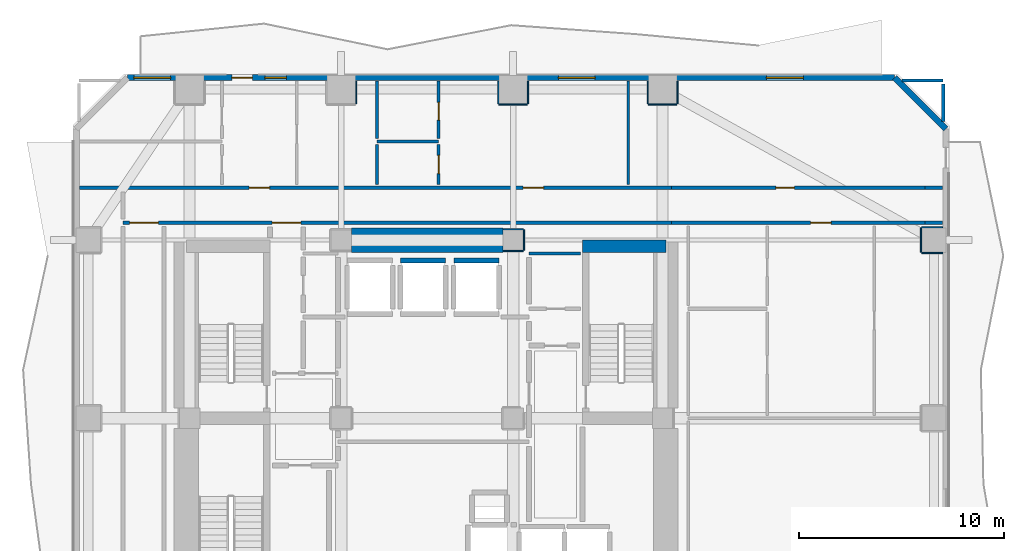
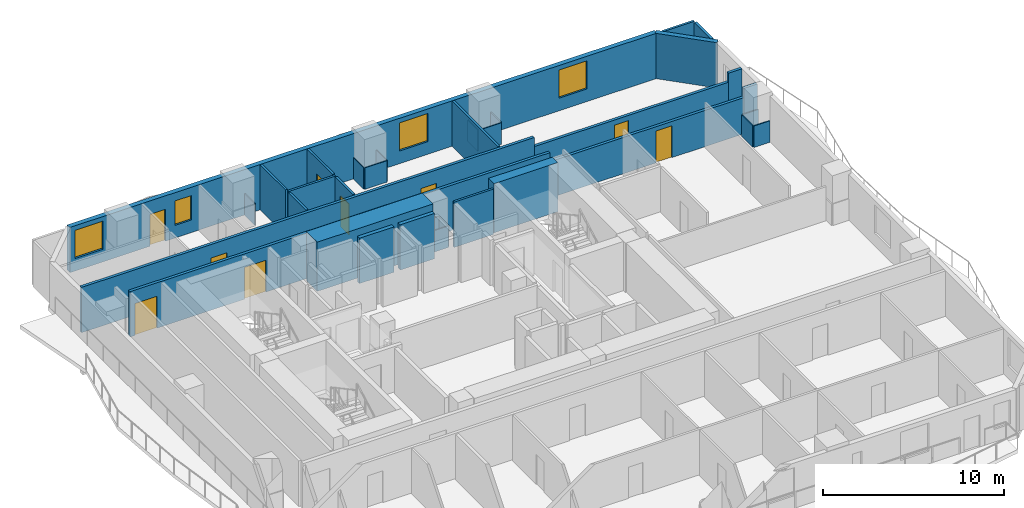
# One storey, part 6 of 10: 34 walls, 9 doors, 4 windows, 13 openings.
"""IFC4 building model written with IfcOpenShell, lengths in metres."""

from ifc_helpers import new_model, si_unit, direction, frame, frame_2d, origin, place, context, subcontext, project, spatial, rectangle, extrude, material, layer, layer_set, type_object, element, fill, save


model = new_model("IFC4")

# Units and contexts
model_context = context("Model", 3, precision=1e-05, world=origin(), true_north=direction((0.0, 1.0)))
body_context = subcontext(model_context, "Body", "Model", "MODEL_VIEW")
ifc_project = project(units=[si_unit("LENGTHUNIT", "METRE"), si_unit("AREAUNIT", "SQUARE_METRE"), si_unit("VOLUMEUNIT", "CUBIC_METRE"), si_unit("PLANEANGLEUNIT", "RADIAN"), si_unit("MASSUNIT", "GRAM", prefix="KILO")], contexts=[model_context])

# Site, building, storey
site_placement = place(None, origin())
site = spatial("IfcSite", under=ifc_project, at=site_placement, CompositionType="ELEMENT")
building_placement = place(site_placement, origin())
building = spatial("IfcBuilding", under=site, at=building_placement, Name="Solanera Arch Residences", CompositionType="ELEMENT")
storey_placement = place(building_placement, frame((0.0, 0.0, 48.56005859375)))
storey = spatial("IfcBuildingStorey", under=building, at=storey_placement, Name="L13", CompositionType="ELEMENT", Elevation=48.56005859375)

# Walls
ifc_material_1 = material(Name="Fire-Rated Gypsum Stud Partition", Category="gypsum")
ifc_layer_1 = layer(ifc_material_1, 0.06005859375)
ifc_layer_set_1 = layer_set([ifc_layer_1], Name="Fire-Rated Gypsum Stud Partition")
wall_type_1 = type_object("IfcWallType", Name="Column Acoustic Furring Wall 60", PredefinedType="PARTITIONING", material=ifc_layer_set_1)
for number, where, z_axis, x_axis, name in (
    (1, (28.7099609375, 38.867919921875, 0.0), (0.0, 0.0, 1.0), (1.0, 0.0, 0.0), "L13 Column Furring 4S"),
    (2, (28.7099609375, 39.931884765625, 0.0), (0.0, 0.0, 1.0), (1.0, 0.0, 0.0), "L13 Column Furring 4N"),
):
    element("IfcWall", number, at=place(storey_placement, frame(where, z_axis=z_axis, x_axis=x_axis)), inside=storey, type_object=wall_type_1, Name=name, PredefinedType="PARTITIONING", context=body_context, shape_type="SweptSolid", body=[
        extrude(rectangle(XDim=0.989990234375, YDim=0.06005859375, at=frame_2d((0.4951171875, 0.0))), origin(), (0.0, 0.0, 1.0), 1.449951171875),
    ])
wall_1_placement = place(storey_placement, frame((29.73193359375, 38.89990234375, 0.0), z_axis=(0.0, 0.0, 1.0), x_axis=(0.0, 1.0, 0.0)))
element("IfcWall", 3, at=wall_1_placement, inside=storey, type_object=wall_type_1, Name="L13 Column Furring 4E", PredefinedType="PARTITIONING", context=body_context, shape_type="SweptSolid", body=[
    extrude(rectangle(XDim=1.0, YDim=0.06005859375, at=frame_2d((0.5, 0.0))), origin(), (0.0, 0.0, 1.0), 1.449951171875),
])
wall_2_placement = place(storey_placement, frame((21.531982421875, 46.050048828125, 0.0), z_axis=(0.0, 0.0, 1.0), x_axis=(0.0, 1.0, 0.0)))
element("IfcWall", 4, at=wall_2_placement, inside=storey, type_object=wall_type_1, Name="L13 Column Furring 12E", PredefinedType="PARTITIONING", context=body_context, shape_type="SweptSolid", body=[
    extrude(rectangle(XDim=1.119873046875, YDim=0.06005859375, at=frame_2d((0.56005859375, 0.0))), origin(), (0.0, 0.0, 1.0), 1.449951171875),
])
wall_3_placement = place(storey_placement, frame((28.5, 46.01806640625, 0.0), z_axis=(0.0, 0.0, 1.0), x_axis=(1.0, 0.0, 0.0)))
element("IfcWall", 5, at=wall_3_placement, inside=storey, type_object=wall_type_1, Name="L13 Column Furring 14S", PredefinedType="PARTITIONING", context=body_context, shape_type="SweptSolid", body=[
    extrude(rectangle(XDim=1.39990234375, YDim=0.06005859375, at=frame_2d((0.699951171875, 0.0))), origin(), (0.0, 0.0, 1.0), 1.449951171875),
])
for number, where, z_axis, x_axis, name in (
    (6, (28.468017578125, 46.050048828125, 0.0), (0.0, 0.0, 1.0), (0.0, 1.0, 0.0), "L13 Column Furring 14W"),
    (7, (29.931884765625, 46.050048828125, 0.0), (0.0, 0.0, 1.0), (0.0, 1.0, 0.0), "L13 Column Furring 14E"),
):
    element("IfcWall", number, at=place(storey_placement, frame(where, z_axis=z_axis, x_axis=x_axis)), inside=storey, type_object=wall_type_1, Name=name, PredefinedType="PARTITIONING", context=body_context, shape_type="SweptSolid", body=[
        extrude(rectangle(XDim=1.119873046875, YDim=0.06005859375, at=frame_2d((0.56005859375, 0.0))), origin(), (0.0, 0.0, 1.0), 1.449951171875),
    ])
wall_4_placement = place(storey_placement, frame((35.800048828125, 46.01806640625, 0.0), z_axis=(0.0, 0.0, 1.0), x_axis=(1.0, 0.0, 0.0)))
element("IfcWall", 8, at=wall_4_placement, inside=storey, type_object=wall_type_1, Name="L13 Column Furring 16S", PredefinedType="PARTITIONING", context=body_context, shape_type="SweptSolid", body=[
    extrude(rectangle(XDim=1.39990234375, YDim=0.06005859375, at=frame_2d((0.699951171875, 0.0))), origin(), (0.0, 0.0, 1.0), 1.449951171875),
])
for number, where, z_axis, x_axis, name in (
    (9, (35.76806640625, 46.050048828125, 0.0), (0.0, 0.0, 1.0), (0.0, 1.0, 0.0), "L13 Column Furring 16W"),
    (10, (37.23193359375, 46.050048828125, 0.0), (0.0, 0.0, 1.0), (0.0, 1.0, 0.0), "L13 Column Furring 16E"),
):
    element("IfcWall", number, at=place(storey_placement, frame(where, z_axis=z_axis, x_axis=x_axis)), inside=storey, type_object=wall_type_1, Name=name, PredefinedType="PARTITIONING", context=body_context, shape_type="SweptSolid", body=[
        extrude(rectangle(XDim=1.119873046875, YDim=0.06005859375, at=frame_2d((0.56005859375, 0.0))), origin(), (0.0, 0.0, 1.0), 1.449951171875),
    ])
for number, where, z_axis, x_axis, name in (
    (11, (49.14990234375, 38.76806640625, 0.0), (0.0, 0.0, 1.0), (1.0, 0.0, 0.0), "L13 Column Furring 22S"),
    (12, (49.14990234375, 40.031982421875, 0.0), (0.0, 0.0, 1.0), (1.0, 0.0, 0.0), "L13 Column Furring 22N"),
):
    element("IfcWall", number, at=place(storey_placement, frame(where, z_axis=z_axis, x_axis=x_axis)), inside=storey, type_object=wall_type_1, Name=name, PredefinedType="PARTITIONING", context=body_context, shape_type="SweptSolid", body=[
        extrude(rectangle(XDim=1.02001953125, YDim=0.06005859375, at=frame_2d((0.510009765625, 0.0))), origin(), (0.0, 0.0, 1.0), 1.449951171875),
    ])
wall_5_placement = place(storey_placement, frame((49.117919921875, 38.800048828125, 0.0), z_axis=(0.0, 0.0, 1.0), x_axis=(0.0, 1.0, 0.0)))
element("IfcWall", 13, at=wall_5_placement, inside=storey, type_object=wall_type_1, Name="L13 Column Furring 22W", PredefinedType="PARTITIONING", context=body_context, shape_type="SweptSolid", body=[
    extrude(rectangle(XDim=1.199951171875, YDim=0.06005859375, at=frame_2d((0.60009765625, 0.0))), origin(), (0.0, 0.0, 1.0), 1.449951171875),
])
ifc_material_2 = material(Name="Concrete C55/67 (f'c = 60 MPa)", Category="concrete")
ifc_layer_2 = layer(ifc_material_2, 1.199951171875)
ifc_layer_set_2 = layer_set([ifc_layer_2], Name="Concrete C55/67 (f'c = 60 MPa)")
wall_type_2 = type_object("IfcWallType", Name="Core Shear Wall CW-1200", PredefinedType="SHEAR", material=ifc_layer_set_2)
wall_6_placement = place(storey_placement, frame((21.304931640625, 39.39990234375, 0.0), z_axis=(0.0, 0.0, 1.0), x_axis=(1.0, 0.0, 0.0)))
element("IfcWall", 14, at=wall_6_placement, inside=storey, type_object=wall_type_2, Name="L13 Central North Core Shear Wall", PredefinedType="SHEAR", context=body_context, shape_type="SweptSolid", body=[
    extrude(rectangle(XDim=7.39013671875, YDim=1.199951171875, at=frame_2d((3.695068359375, 0.0))), origin(), (0.0, 0.0, 1.0), 3.31982421875),
])
ifc_material_3 = material(Name="Concrete C40/50 (f'c = 45 MPa)", Category="concrete")
ifc_layer_3 = layer(ifc_material_3, 0.60009765625)
ifc_layer_set_3 = layer_set([ifc_layer_3], Name="Concrete C40/50 (f'c = 45 MPa)")
wall_type_3 = type_object("IfcWallType", Name="Core Shear Wall CW-600", PredefinedType="SHEAR", material=ifc_layer_set_3)
wall_7_placement = place(storey_placement, frame((32.580078125, 39.10009765625, 0.0), z_axis=(0.0, 0.0, 1.0), x_axis=(1.0, 0.0, 0.0)))
element("IfcWall", 15, at=wall_7_placement, inside=storey, type_object=wall_type_3, Name="L13 North-East Core Shear Wall", PredefinedType="SHEAR", context=body_context, shape_type="SweptSolid", body=[
    extrude(rectangle(XDim=4.079833984375, YDim=0.60009765625, at=frame_2d((2.0400390625, 0.0))), origin(), (0.0, 0.0, 1.0), 3.31982421875),
])

# Wall, openings, doors
ifc_material_4 = material(Name="Autoclaved Aerated Concrete Blockwork", Category="masonry")
ifc_layer_4 = layer(ifc_material_4, 0.179931640625)
ifc_layer_set_4 = layer_set([ifc_layer_4], Name="Autoclaved Aerated Concrete Blockwork")
wall_type_4 = type_object("IfcWallType", Name="Corridor Fire Partition 180", PredefinedType="PARTITIONING", material=ifc_layer_set_4)
wall_8_placement = place(storey_placement, frame((10.14990234375, 40.25, 0.0), z_axis=(0.0, 0.0, 1.0), x_axis=(1.0, 0.0, 0.0)))
wall_8 = element("IfcWall", 16, at=wall_8_placement, inside=storey, type_object=wall_type_4, Name="L13 Interior Partition H11 1", PredefinedType="PARTITIONING", context=body_context, shape_type="SweptSolid", body=[
    extrude(rectangle(XDim=26.781982421875, YDim=0.179931640625, at=frame_2d((13.39111328125, 0.0))), origin(), (0.0, 0.0, 1.0), 3.06005859375),
])
opening_1_placement = place(wall_8_placement, frame((7.284912109375, 0.0, 0.0)))
opening_1 = element("IfcOpeningElement", 17, at=opening_1_placement, cuts=wall_8, Name="Opening DF-03", PredefinedType="OPENING", context=body_context, shape_type="SweptSolid", body=[
    extrude(rectangle(XDim=1.39990234375, YDim=2.14990234375, at=frame_2d((0.699951171875, 1.074951171875))), frame((0.0, 0.10009765625, 0.0), z_axis=(0.0, -1.0, 0.0), x_axis=(1.0, 0.0, 0.0)), (0.0, 0.0, 1.0), 0.1999),
])
opening_2_placement = place(wall_8_placement, frame((0.323974609375, 0.0, 0.0)))
opening_2 = element("IfcOpeningElement", 18, at=opening_2_placement, cuts=wall_8, Name="Opening DF-03", PredefinedType="OPENING", context=body_context, shape_type="SweptSolid", body=[
    extrude(rectangle(XDim=1.39990234375, YDim=2.14990234375, at=frame_2d((0.699951171875, 1.074951171875))), frame((0.0, 0.10009765625, 0.0), z_axis=(0.0, -1.0, 0.0), x_axis=(1.0, 0.0, 0.0)), (0.0, 0.0, 1.0), 0.1999),
])
ifc_material_5 = material(Name="Fire-Rated Architectural Hardwood", Category="wood")
door_type_1 = type_object("IfcDoorType", Name="Corridor Smoke Door DF-03", OperationType="NOTDEFINED", PredefinedType="DOOR", material=ifc_material_5)
door_1_placement = place(opening_1_placement, origin())
door_1 = element("IfcDoor", 19, at=door_1_placement, inside=storey, type_object=door_type_1, Name="DR-L13-IN-009", OperationType="SINGLE_SWING_LEFT", OverallHeight=2.14990234375, OverallWidth=1.39990234375, PredefinedType="DOOR", context=body_context, shape_type="SweptSolid", body=[
    extrude(rectangle(XDim=1.39990234375, YDim=2.14990234375, at=frame_2d((0.699951171875, 1.074951171875))), frame((0.0, 0.02490234375, 0.0), z_axis=(0.0, -1.0, 0.0), x_axis=(1.0, 0.0, 0.0)), (0.0, 0.0, 1.0), 0.050048828125),
])
fill(opening_1, door_1)
door_2_placement = place(opening_2_placement, origin())
door_2 = element("IfcDoor", 20, at=door_2_placement, inside=storey, type_object=door_type_1, Name="DR-L13-IN-011", OperationType="SINGLE_SWING_LEFT", OverallHeight=2.14990234375, OverallWidth=1.39990234375, PredefinedType="DOOR", context=body_context, shape_type="SweptSolid", body=[
    extrude(rectangle(XDim=1.39990234375, YDim=2.14990234375, at=frame_2d((0.699951171875, 1.074951171875))), frame((0.0, 0.02490234375, 0.0), z_axis=(0.0, -1.0, 0.0), x_axis=(1.0, 0.0, 0.0)), (0.0, 0.0, 1.0), 0.050048828125),
])
fill(opening_2, door_2)

# Wall, opening, door
wall_9_placement = place(storey_placement, frame((36.931884765625, 40.25, 0.0), z_axis=(0.0, 0.0, 1.0), x_axis=(1.0, 0.0, 0.0)))
wall_9 = element("IfcWall", 21, at=wall_9_placement, inside=storey, type_object=wall_type_4, Name="L13 Interior Partition H11 2", PredefinedType="PARTITIONING", context=body_context, shape_type="SweptSolid", body=[
    extrude(rectangle(XDim=12.38623046875, YDim=0.179931640625, at=frame_2d((6.193115234375, 0.0))), origin(), (0.0, 0.0, 1.0), 2.44482421875),
])
opening_3_placement = place(wall_9_placement, frame((6.7919921875, 0.0, 0.0)))
opening_3 = element("IfcOpeningElement", 22, at=opening_3_placement, cuts=wall_9, Name="Opening DI-01", PredefinedType="OPENING", context=body_context, shape_type="SweptSolid", body=[
    extrude(rectangle(XDim=1.0, YDim=2.14990234375, at=frame_2d((0.5, 1.074951171875))), frame((0.0, 0.10009765625, 0.0), z_axis=(0.0, -1.0, 0.0), x_axis=(1.0, 0.0, 0.0)), (0.0, 0.0, 1.0), 0.1999),
])
ifc_material_6 = material(Name="Fire-Rated Architectural Hardwood", Category="wood")
door_type_2 = type_object("IfcDoorType", Name="Unit Entrance Fire Door DI-01", OperationType="NOTDEFINED", PredefinedType="DOOR", material=ifc_material_6)
door_3_placement = place(opening_3_placement, origin())
door_3 = element("IfcDoor", 23, at=door_3_placement, inside=storey, type_object=door_type_2, Name="DR-L13-IN-040", OperationType="SINGLE_SWING_RIGHT", OverallHeight=2.14990234375, OverallWidth=1.0, PredefinedType="DOOR", context=body_context, shape_type="SweptSolid", body=[
    extrude(rectangle(XDim=1.0, YDim=2.14990234375, at=frame_2d((0.5, 1.074951171875))), frame((0.0, 0.02490234375, 0.0), z_axis=(0.0, -1.0, 0.0), x_axis=(1.0, 0.0, 0.0)), (0.0, 0.0, 1.0), 0.050048828125),
])
fill(opening_3, door_3)

# Wall
wall_10_placement = place(storey_placement, frame((49.318115234375, 40.25, 0.0), z_axis=(0.0, 0.0, 1.0), x_axis=(1.0, 0.0, 0.0)))
element("IfcWall", 24, at=wall_10_placement, inside=storey, type_object=wall_type_4, Name="L13 Interior Partition H11 3", PredefinedType="PARTITIONING", context=body_context, shape_type="SweptSolid", body=[
    extrude(rectangle(XDim=0.85498046875, YDim=0.179931640625, at=frame_2d((0.427490234375, 0.0))), origin(), (0.0, 0.0, 1.0), 3.06005859375),
])

# Wall, openings, doors
wall_11_placement = place(storey_placement, frame((8.027099609375, 41.949951171875, 0.0), z_axis=(0.0, 0.0, 1.0), x_axis=(1.0, 0.0, 0.0)))
wall_11 = element("IfcWall", 25, at=wall_11_placement, inside=storey, type_object=wall_type_4, Name="L13 Interior Partition H12 1", PredefinedType="PARTITIONING", context=body_context, shape_type="SweptSolid", body=[
    extrude(rectangle(XDim=28.90478515625, YDim=0.179931640625, at=frame_2d((14.452392578125, 0.0))), origin(), (0.0, 0.0, 1.0), 3.06005859375),
])
opening_4_placement = place(wall_11_placement, frame((8.278076171875, 0.0, 0.0)))
opening_4 = element("IfcOpeningElement", 26, at=opening_4_placement, cuts=wall_11, Name="Opening DI-01", PredefinedType="OPENING", context=body_context, shape_type="SweptSolid", body=[
    extrude(rectangle(XDim=1.0, YDim=2.14990234375, at=frame_2d((0.5, 1.074951171875))), frame((0.0, 0.10009765625, 0.0), z_axis=(0.0, -1.0, 0.0), x_axis=(1.0, 0.0, 0.0)), (0.0, 0.0, 1.0), 0.1999),
])
opening_5_placement = place(wall_11_placement, frame((21.6630859375, 0.0, 0.0)))
opening_5 = element("IfcOpeningElement", 27, at=opening_5_placement, cuts=wall_11, Name="Opening DI-01", PredefinedType="OPENING", context=body_context, shape_type="SweptSolid", body=[
    extrude(rectangle(XDim=1.0, YDim=2.14990234375, at=frame_2d((0.5, 1.074951171875))), frame((0.0, 0.10009765625, 0.0), z_axis=(0.0, -1.0, 0.0), x_axis=(1.0, 0.0, 0.0)), (0.0, 0.0, 1.0), 0.1999),
])
door_4_placement = place(opening_4_placement, origin())
door_4 = element("IfcDoor", 28, at=door_4_placement, inside=storey, type_object=door_type_2, Name="DR-L13-IN-031", OperationType="SINGLE_SWING_LEFT", OverallHeight=2.14990234375, OverallWidth=1.0, PredefinedType="DOOR", context=body_context, shape_type="SweptSolid", body=[
    extrude(rectangle(XDim=1.0, YDim=2.14990234375, at=frame_2d((0.5, 1.074951171875))), frame((0.0, 0.02490234375, 0.0), z_axis=(0.0, -1.0, 0.0), x_axis=(1.0, 0.0, 0.0)), (0.0, 0.0, 1.0), 0.050048828125),
])
fill(opening_4, door_4)
door_5_placement = place(opening_5_placement, origin())
door_5 = element("IfcDoor", 29, at=door_5_placement, inside=storey, type_object=door_type_2, Name="DR-L13-IN-035", OperationType="SINGLE_SWING_LEFT", OverallHeight=2.14990234375, OverallWidth=1.0, PredefinedType="DOOR", context=body_context, shape_type="SweptSolid", body=[
    extrude(rectangle(XDim=1.0, YDim=2.14990234375, at=frame_2d((0.5, 1.074951171875))), frame((0.0, 0.02490234375, 0.0), z_axis=(0.0, -1.0, 0.0), x_axis=(1.0, 0.0, 0.0)), (0.0, 0.0, 1.0), 0.050048828125),
])
fill(opening_5, door_5)

# Wall, opening, door
wall_12_placement = place(storey_placement, frame((36.931884765625, 41.949951171875, 0.0), z_axis=(0.0, 0.0, 1.0), x_axis=(1.0, 0.0, 0.0)))
wall_12 = element("IfcWall", 30, at=wall_12_placement, inside=storey, type_object=wall_type_4, Name="L13 Interior Partition H12 2", PredefinedType="PARTITIONING", context=body_context, shape_type="SweptSolid", body=[
    extrude(rectangle(XDim=12.38623046875, YDim=0.179931640625, at=frame_2d((6.193115234375, 0.0))), origin(), (0.0, 0.0, 1.0), 2.44482421875),
])
opening_6_placement = place(wall_12_placement, frame((5.10400390625, 0.0, 0.0)))
opening_6 = element("IfcOpeningElement", 31, at=opening_6_placement, cuts=wall_12, Name="Opening DI-02", PredefinedType="OPENING", context=body_context, shape_type="SweptSolid", body=[
    extrude(rectangle(XDim=0.89990234375, YDim=2.10009765625, at=frame_2d((0.449951171875, 1.050048828125))), frame((0.0, 0.10009765625, 0.0), z_axis=(0.0, -1.0, 0.0), x_axis=(1.0, 0.0, 0.0)), (0.0, 0.0, 1.0), 0.1999),
])
ifc_material_7 = material(Name="Fire-Rated Architectural Hardwood", Category="wood")
door_type_3 = type_object("IfcDoorType", Name="Suite Room Swing Door DI-02", OperationType="NOTDEFINED", PredefinedType="DOOR", material=ifc_material_7)
door_6_placement = place(opening_6_placement, origin())
door_6 = element("IfcDoor", 32, at=door_6_placement, inside=storey, type_object=door_type_3, Name="DR-L13-IN-038", OperationType="SINGLE_SWING_RIGHT", OverallHeight=2.10009765625, OverallWidth=0.89990234375, PredefinedType="DOOR", context=body_context, shape_type="SweptSolid", body=[
    extrude(rectangle(XDim=0.89990234375, YDim=2.10009765625, at=frame_2d((0.449951171875, 1.050048828125))), frame((0.0, 0.02490234375, 0.0), z_axis=(0.0, -1.0, 0.0), x_axis=(1.0, 0.0, 0.0)), (0.0, 0.0, 1.0), 0.050048828125),
])
fill(opening_6, door_6)

# Walls
wall_13_placement = place(storey_placement, frame((49.318115234375, 41.949951171875, 0.0), z_axis=(0.0, 0.0, 1.0), x_axis=(1.0, 0.0, 0.0)))
element("IfcWall", 33, at=wall_13_placement, inside=storey, type_object=wall_type_4, Name="L13 Interior Partition H12 3", PredefinedType="PARTITIONING", context=body_context, shape_type="SweptSolid", body=[
    extrude(rectangle(XDim=0.85498046875, YDim=0.179931640625, at=frame_2d((0.427490234375, 0.0))), origin(), (0.0, 0.0, 1.0), 3.06005859375),
])
wall_14_placement = place(storey_placement, frame((50.199951171875, 45.198974609375, 0.0), z_axis=(0.0, 0.0, 1.0), x_axis=(0.0, 1.0, 0.0)))
element("IfcWall", 34, at=wall_14_placement, inside=storey, type_object=wall_type_4, Name="L13 Interior Partition V10 2", PredefinedType="PARTITIONING", context=body_context, shape_type="SweptSolid", body=[
    extrude(rectangle(XDim=1.8330078125, YDim=0.179931640625, at=frame_2d((0.91650390625, 0.0))), origin(), (0.0, 0.0, 1.0), 3.06005859375),
])

# Wall, openings, door, windows
ifc_material_8 = material(Name="Precast Concrete C35/45", Category="concrete")
ifc_layer_5 = layer(ifc_material_8, 0.300048828125)
ifc_layer_set_5 = layer_set([ifc_layer_5], Name="Precast Concrete C35/45")
wall_type_5 = type_object("IfcWallType", Name="Exterior Wall Precast Masonry-Frame 300", PredefinedType="STANDARD", material=ifc_layer_set_5)
wall_15_placement = place(storey_placement, frame((10.364990234375, 47.3349609375, 0.0), z_axis=(0.0, 0.0, 1.0), x_axis=(1.0, 0.0, 0.0)))
wall_15 = element("IfcWall", 35, at=wall_15_placement, inside=storey, type_object=wall_type_5, Name="L13 Tower Exterior Precast Masonry-Frame Wall N", PredefinedType="STANDARD", context=body_context, shape_type="SweptSolid", body=[
    extrude(rectangle(XDim=37.469970703125, YDim=0.300048828125, at=frame_2d((18.73486328125, 0.0))), origin(), (0.0, 0.0, 1.0), 3.06005859375),
])
opening_7_placement = place(wall_15_placement, frame((5.10302734375, 0.0, 0.0)))
opening_7 = element("IfcOpeningElement", 36, at=opening_7_placement, cuts=wall_15, Name="Opening DB-01", PredefinedType="OPENING", context=body_context, shape_type="SweptSolid", body=[
    extrude(rectangle(XDim=1.0, YDim=2.14990234375, at=frame_2d((0.5, 1.074951171875))), frame((0.0, 0.159912109375, 0.0), z_axis=(0.0, -1.0, 0.0), x_axis=(1.0, 0.0, 0.0)), (0.0, 0.0, 1.0), 0.32),
])
opening_8_placement = place(wall_15_placement, frame((6.7080078125, 0.0, 0.85009765625)))
opening_8 = element("IfcOpeningElement", 37, at=opening_8_placement, cuts=wall_15, Name="Opening W-07", PredefinedType="OPENING", context=body_context, shape_type="SweptSolid", body=[
    extrude(rectangle(XDim=1.050048828125, YDim=1.64990234375, at=frame_2d((0.52490234375, 0.824951171875))), frame((0.0, 0.159912109375, 0.0), z_axis=(0.0, -1.0, 0.0), x_axis=(1.0, 0.0, 0.0)), (0.0, 0.0, 1.0), 0.32),
])
opening_9_placement = place(wall_15_placement, frame((0.31201171875, 0.0, 0.85009765625)))
opening_9 = element("IfcOpeningElement", 38, at=opening_9_placement, cuts=wall_15, Name="Opening W-03", PredefinedType="OPENING", context=body_context, shape_type="SweptSolid", body=[
    extrude(rectangle(XDim=1.800048828125, YDim=1.89990234375, at=frame_2d((0.89990234375, 0.949951171875))), frame((0.0, 0.159912109375, 0.0), z_axis=(0.0, -1.0, 0.0), x_axis=(1.0, 0.0, 0.0)), (0.0, 0.0, 1.0), 0.32),
])
opening_10_placement = place(wall_15_placement, frame((21.044921875, 0.0, 0.85009765625)))
opening_10 = element("IfcOpeningElement", 39, at=opening_10_placement, cuts=wall_15, Name="Opening W-03", PredefinedType="OPENING", context=body_context, shape_type="SweptSolid", body=[
    extrude(rectangle(XDim=1.800048828125, YDim=1.89990234375, at=frame_2d((0.89990234375, 0.949951171875))), frame((0.0, 0.159912109375, 0.0), z_axis=(0.0, -1.0, 0.0), x_axis=(1.0, 0.0, 0.0)), (0.0, 0.0, 1.0), 0.32),
])
opening_11_placement = place(wall_15_placement, frame((31.20703125, 0.0, 0.85009765625)))
opening_11 = element("IfcOpeningElement", 40, at=opening_11_placement, cuts=wall_15, Name="Opening W-03", PredefinedType="OPENING", context=body_context, shape_type="SweptSolid", body=[
    extrude(rectangle(XDim=1.800048828125, YDim=1.89990234375, at=frame_2d((0.89990234375, 0.949951171875))), frame((0.0, 0.159912109375, 0.0), z_axis=(0.0, -1.0, 0.0), x_axis=(1.0, 0.0, 0.0)), (0.0, 0.0, 1.0), 0.32),
])
ifc_material_9 = material(Name="Anodised Aluminium Alloy 6063-T6", Category="aluminium")
door_type_4 = type_object("IfcDoorType", Name="Glazed Balcony Swing Door DB-01", OperationType="NOTDEFINED", PredefinedType="DOOR", material=ifc_material_9)
door_7_placement = place(opening_7_placement, origin())
door_7 = element("IfcDoor", 41, at=door_7_placement, inside=storey, type_object=door_type_4, Name="DR-L13-OUT-02", OperationType="SINGLE_SWING_RIGHT", OverallHeight=2.14990234375, OverallWidth=1.0, PredefinedType="DOOR", context=body_context, shape_type="SweptSolid", body=[
    extrude(rectangle(XDim=1.0, YDim=2.14990234375, at=frame_2d((0.5, 1.074951171875))), frame((0.0, 0.02490234375, 0.0), z_axis=(0.0, -1.0, 0.0), x_axis=(1.0, 0.0, 0.0)), (0.0, 0.0, 1.0), 0.050048828125),
])
fill(opening_7, door_7)
ifc_material_10 = material(Name="Double Glazed Low-E Laminated Glass", Category="glass")
window_type_1 = type_object("IfcWindowType", Name="Punched Window W-03", PartitioningType="DOUBLE_PANEL_VERTICAL", PredefinedType="WINDOW", material=ifc_material_10)
window_1_placement = place(opening_9_placement, origin())
window_1 = element("IfcWindow", 42, at=window_1_placement, inside=storey, type_object=window_type_1, Name="L13 1304-BR1 Punched Window", OverallHeight=1.89990234375, OverallWidth=1.800048828125, PartitioningType="SINGLE_PANEL", PredefinedType="WINDOW", context=body_context, shape_type="SweptSolid", body=[
    extrude(rectangle(XDim=1.800048828125, YDim=1.89990234375, at=frame_2d((0.89990234375, 0.949951171875))), frame((0.0, 0.030029296875, 0.0), z_axis=(0.0, -1.0, 0.0), x_axis=(1.0, 0.0, 0.0)), (0.0, 0.0, 1.0), 0.06005859375),
])
fill(opening_9, window_1)
window_2_placement = place(opening_10_placement, origin())
window_2 = element("IfcWindow", 43, at=window_2_placement, inside=storey, type_object=window_type_1, Name="L13 1305-LIV Punched Window", OverallHeight=1.89990234375, OverallWidth=1.800048828125, PartitioningType="SINGLE_PANEL", PredefinedType="WINDOW", context=body_context, shape_type="SweptSolid", body=[
    extrude(rectangle(XDim=1.800048828125, YDim=1.89990234375, at=frame_2d((0.89990234375, 0.949951171875))), frame((0.0, 0.030029296875, 0.0), z_axis=(0.0, -1.0, 0.0), x_axis=(1.0, 0.0, 0.0)), (0.0, 0.0, 1.0), 0.06005859375),
])
fill(opening_10, window_2)
window_3_placement = place(opening_11_placement, origin())
window_3 = element("IfcWindow", 44, at=window_3_placement, inside=storey, type_object=window_type_1, Name="L13 AMN-LOUN Punched Window", OverallHeight=1.89990234375, OverallWidth=1.800048828125, PartitioningType="SINGLE_PANEL", PredefinedType="WINDOW", context=body_context, shape_type="SweptSolid", body=[
    extrude(rectangle(XDim=1.800048828125, YDim=1.89990234375, at=frame_2d((0.89990234375, 0.949951171875))), frame((0.0, 0.030029296875, 0.0), z_axis=(0.0, -1.0, 0.0), x_axis=(1.0, 0.0, 0.0)), (0.0, 0.0, 1.0), 0.06005859375),
])
fill(opening_11, window_3)
ifc_material_11 = material(Name="Double Glazed Low-E Laminated Glass", Category="glass")
window_type_2 = type_object("IfcWindowType", Name="Punched Window W-07", PartitioningType="SINGLE_PANEL", PredefinedType="WINDOW", material=ifc_material_11)
window_4_placement = place(opening_8_placement, origin())
window_4 = element("IfcWindow", 45, at=window_4_placement, inside=storey, type_object=window_type_2, Name="L13 1304-LIV Punched Window", OverallHeight=1.64990234375, OverallWidth=1.050048828125, PartitioningType="SINGLE_PANEL", PredefinedType="WINDOW", context=body_context, shape_type="SweptSolid", body=[
    extrude(rectangle(XDim=1.050048828125, YDim=1.64990234375, at=frame_2d((0.52490234375, 0.824951171875))), frame((0.0, 0.030029296875, 0.0), z_axis=(0.0, -1.0, 0.0), x_axis=(1.0, 0.0, 0.0)), (0.0, 0.0, 1.0), 0.06005859375),
])
fill(opening_8, window_4)

# Walls
wall_16_placement = place(storey_placement, frame((47.8349609375, 47.3349609375, 0.0), z_axis=(0.0, 0.0, 1.0), x_axis=(0.707106781187, -0.707106781187, 0.0)))
element("IfcWall", 46, at=wall_16_placement, inside=storey, type_object=wall_type_5, Name="L13 Tower Exterior Precast Masonry-Frame Wall CH3", PredefinedType="STANDARD", context=body_context, shape_type="SweptSolid", body=[
    extrude(rectangle(XDim=3.53564453125, YDim=0.300048828125, at=frame_2d((1.767822265625, 0.0))), origin(), (0.0, 0.0, 1.0), 3.06005859375),
])
ifc_material_12 = material(Name="Autoclaved Aerated Concrete Blockwork", Category="masonry")
ifc_layer_6 = layer(ifc_material_12, 0.239990234375)
ifc_layer_set_6 = layer_set([ifc_layer_6], Name="Autoclaved Aerated Concrete Blockwork")
wall_type_6 = type_object("IfcWallType", Name="Shaft Wall Fire-Rated 240", PredefinedType="PARTITIONING", material=ifc_layer_set_6)
for number, where, z_axis, x_axis, name in (
    (47, (23.699951171875, 38.39990234375, 0.0), (0.0, 0.0, 1.0), (1.0, 0.0, 0.0), "L13 Lift PL-L2 Hoistway Wall N"),
    (48, (26.300048828125, 38.39990234375, 0.0), (0.0, 0.0, 1.0), (1.0, 0.0, 0.0), "L13 Lift PL-L3 Hoistway Wall N"),
):
    element("IfcWall", number, at=place(storey_placement, frame(where, z_axis=z_axis, x_axis=x_axis)), inside=storey, type_object=wall_type_6, Name=name, PredefinedType="PARTITIONING", context=body_context, shape_type="SweptSolid", body=[
        extrude(rectangle(XDim=2.199951171875, YDim=0.239990234375, at=frame_2d((1.10009765625, 0.0))), origin(), (0.0, 0.0, 1.0), 3.06005859375),
    ])
ifc_material_13 = material(Name="Autoclaved Aerated Concrete Blockwork", Category="masonry")
ifc_layer_7 = layer(ifc_material_13, 0.139892578125)
ifc_layer_set_7 = layer_set([ifc_layer_7], Name="Autoclaved Aerated Concrete Blockwork")
wall_type_7 = type_object("IfcWallType", Name="Wet-Room Partition 140", PredefinedType="PARTITIONING", material=ifc_layer_set_7)
wall_17_placement = place(storey_placement, frame((29.97509765625, 38.75, 0.0), z_axis=(0.0, 0.0, 1.0), x_axis=(1.0, 0.0, 0.0)))
element("IfcWall", 49, at=wall_17_placement, inside=storey, type_object=wall_type_7, Name="L13 Interior Partition H16", PredefinedType="PARTITIONING", context=body_context, shape_type="SweptSolid", body=[
    extrude(rectangle(XDim=2.52490234375, YDim=0.139892578125, at=frame_2d((1.262451171875, 0.0))), origin(), (0.0, 0.0, 1.0), 3.06005859375),
])
wall_18_placement = place(storey_placement, frame((22.56005859375, 44.2080078125, 0.0), z_axis=(0.0, 0.0, 1.0), x_axis=(1.0, 0.0, 0.0)))
element("IfcWall", 50, at=wall_18_placement, inside=storey, type_object=wall_type_7, Name="L13 Interior Partition H18", PredefinedType="PARTITIONING", context=body_context, shape_type="SweptSolid", body=[
    extrude(rectangle(XDim=3.0, YDim=0.139892578125, at=frame_2d((1.5, 0.0))), origin(), (0.0, 0.0, 1.0), 3.06005859375),
])
wall_19_placement = place(storey_placement, frame((48.198974609375, 47.199951171875, 0.0), z_axis=(0.0, 0.0, 1.0), x_axis=(1.0, 0.0, 0.0)))
element("IfcWall", 51, at=wall_19_placement, inside=storey, type_object=wall_type_7, Name="L13 Interior Partition H19 2", PredefinedType="PARTITIONING", context=body_context, shape_type="SweptSolid", body=[
    extrude(rectangle(XDim=2.0009765625, YDim=0.139892578125, at=frame_2d((1.00048828125, 0.0))), origin(), (0.0, 0.0, 1.0), 3.06005859375),
])
wall_20_placement = place(storey_placement, frame((22.56005859375, 42.117919921875, 0.0), z_axis=(0.0, 0.0, 1.0), x_axis=(0.0, 1.0, 0.0)))
element("IfcWall", 52, at=wall_20_placement, inside=storey, type_object=wall_type_7, Name="L13 Interior Partition V16 1", PredefinedType="PARTITIONING", context=body_context, shape_type="SweptSolid", body=[
    extrude(rectangle(XDim=1.942138671875, YDim=0.139892578125, at=frame_2d((0.97119140625, 0.0))), origin(), (0.0, 0.0, 1.0), 3.06005859375),
])
wall_21_placement = place(storey_placement, frame((22.56005859375, 44.35595703125, 0.0), z_axis=(0.0, 0.0, 1.0), x_axis=(0.0, 1.0, 0.0)))
element("IfcWall", 53, at=wall_21_placement, inside=storey, type_object=wall_type_7, Name="L13 Interior Partition V16 2", PredefinedType="PARTITIONING", context=body_context, shape_type="SweptSolid", body=[
    extrude(rectangle(XDim=2.817138671875, YDim=0.139892578125, at=frame_2d((1.40869140625, 0.0))), origin(), (0.0, 0.0, 1.0), 3.06005859375),
])

# Wall, opening, door
wall_22_placement = place(storey_placement, frame((25.56005859375, 42.117919921875, 0.0), z_axis=(0.0, 0.0, 1.0), x_axis=(0.0, 1.0, 0.0)))
wall_22 = element("IfcWall", 54, at=wall_22_placement, inside=storey, type_object=wall_type_7, Name="L13 Interior Partition V17 1", PredefinedType="PARTITIONING", context=body_context, shape_type="SweptSolid", body=[
    extrude(rectangle(XDim=1.942138671875, YDim=0.139892578125, at=frame_2d((0.97119140625, 0.0))), origin(), (0.0, 0.0, 1.0), 3.06005859375),
])
opening_12_placement = place(wall_22_placement, frame((0.52392578125, 0.0, 0.0)))
opening_12 = element("IfcOpeningElement", 55, at=opening_12_placement, cuts=wall_22, Name="Opening DI-02", PredefinedType="OPENING", context=body_context, shape_type="SweptSolid", body=[
    extrude(rectangle(XDim=0.89990234375, YDim=2.10009765625, at=frame_2d((0.449951171875, 1.050048828125))), frame((0.0, 0.079833984375, 0.0), z_axis=(0.0, -1.0, 0.0), x_axis=(1.0, 0.0, 0.0)), (0.0, 0.0, 1.0), 0.1599),
])
door_8_placement = place(opening_12_placement, origin())
door_8 = element("IfcDoor", 56, at=door_8_placement, inside=storey, type_object=door_type_3, Name="DR-L13-IN-036", OperationType="SINGLE_SWING_RIGHT", OverallHeight=2.10009765625, OverallWidth=0.89990234375, PredefinedType="DOOR", context=body_context, shape_type="SweptSolid", body=[
    extrude(rectangle(XDim=0.89990234375, YDim=2.10009765625, at=frame_2d((0.449951171875, 1.050048828125))), frame((0.0, 0.02490234375, 0.0), z_axis=(0.0, -1.0, 0.0), x_axis=(1.0, 0.0, 0.0)), (0.0, 0.0, 1.0), 0.050048828125),
])
fill(opening_12, door_8)

wall_23_placement = place(storey_placement, frame((25.56005859375, 44.35595703125, 0.0), z_axis=(0.0, 0.0, 1.0), x_axis=(0.0, 1.0, 0.0)))
wall_23 = element("IfcWall", 57, at=wall_23_placement, inside=storey, type_object=wall_type_7, Name="L13 Interior Partition V17 2", PredefinedType="PARTITIONING", context=body_context, shape_type="SweptSolid", body=[
    extrude(rectangle(XDim=2.817138671875, YDim=0.139892578125, at=frame_2d((1.40869140625, 0.0))), origin(), (0.0, 0.0, 1.0), 3.06005859375),
])
opening_13_placement = place(wall_23_placement, frame((0.905029296875, 0.0, 0.0)))
opening_13 = element("IfcOpeningElement", 58, at=opening_13_placement, cuts=wall_23, Name="Opening DI-05", PredefinedType="OPENING", context=body_context, shape_type="SweptSolid", body=[
    extrude(rectangle(XDim=0.860107421875, YDim=2.02001953125, at=frame_2d((0.43017578125, 1.010009765625))), frame((0.0, 0.079833984375, 0.0), z_axis=(0.0, -1.0, 0.0), x_axis=(1.0, 0.0, 0.0)), (0.0, 0.0, 1.0), 0.1599),
])
ifc_material_14 = material(Name="Fire-Rated Architectural Hardwood", Category="wood")
door_type_5 = type_object("IfcDoorType", Name="Bathroom Swing Door DI-05", OperationType="NOTDEFINED", PredefinedType="DOOR", material=ifc_material_14)
door_9_placement = place(opening_13_placement, origin())
door_9 = element("IfcDoor", 59, at=door_9_placement, inside=storey, type_object=door_type_5, Name="DR-L13-IN-037", OperationType="SINGLE_SWING_LEFT", OverallHeight=2.02001953125, OverallWidth=0.860107421875, PredefinedType="DOOR", context=body_context, shape_type="SweptSolid", body=[
    extrude(rectangle(XDim=0.860107421875, YDim=2.02001953125, at=frame_2d((0.43017578125, 1.010009765625))), frame((0.0, 0.02490234375, 0.0), z_axis=(0.0, -1.0, 0.0), x_axis=(1.0, 0.0, 0.0)), (0.0, 0.0, 1.0), 0.050048828125),
])
fill(opening_13, door_9)

# Wall
wall_24_placement = place(storey_placement, frame((34.820068359375, 42.117919921875, 0.0), z_axis=(0.0, 0.0, 1.0), x_axis=(0.0, 1.0, 0.0)))
element("IfcWall", 60, at=wall_24_placement, inside=storey, type_object=wall_type_7, Name="L13 Interior Partition V19", PredefinedType="PARTITIONING", context=body_context, shape_type="SweptSolid", body=[
    extrude(rectangle(XDim=5.05517578125, YDim=0.139892578125, at=frame_2d((2.527587890625, 0.0))), origin(), (0.0, 0.0, 1.0), 3.06005859375),
])

save(model, "model.ifc")
